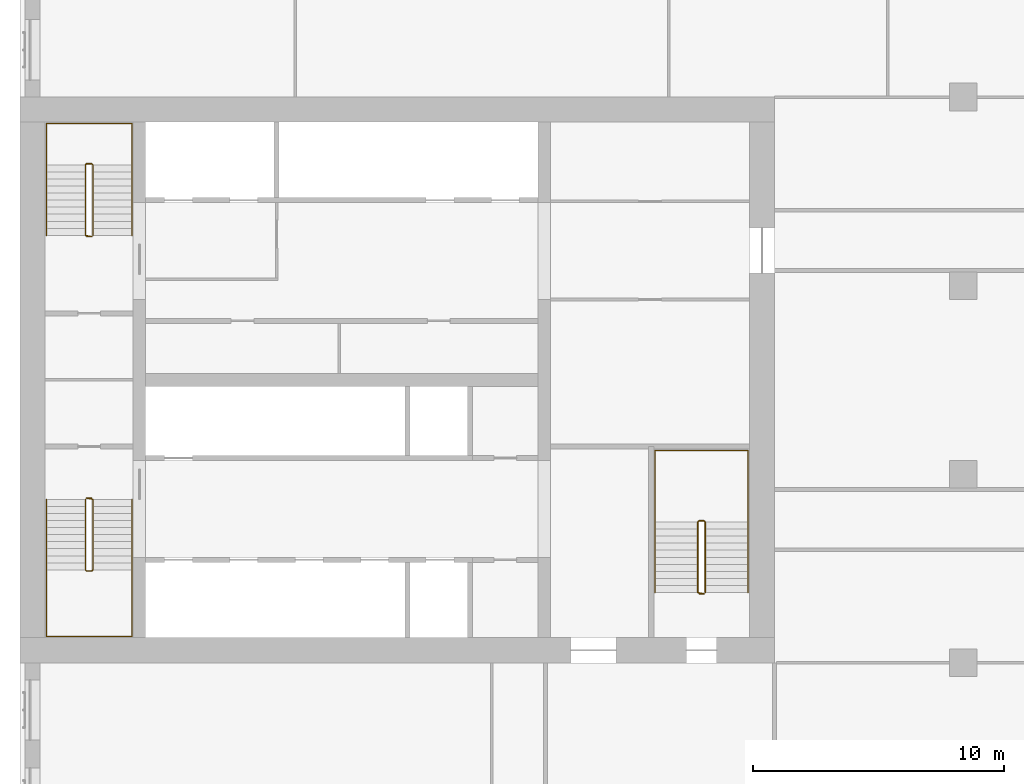
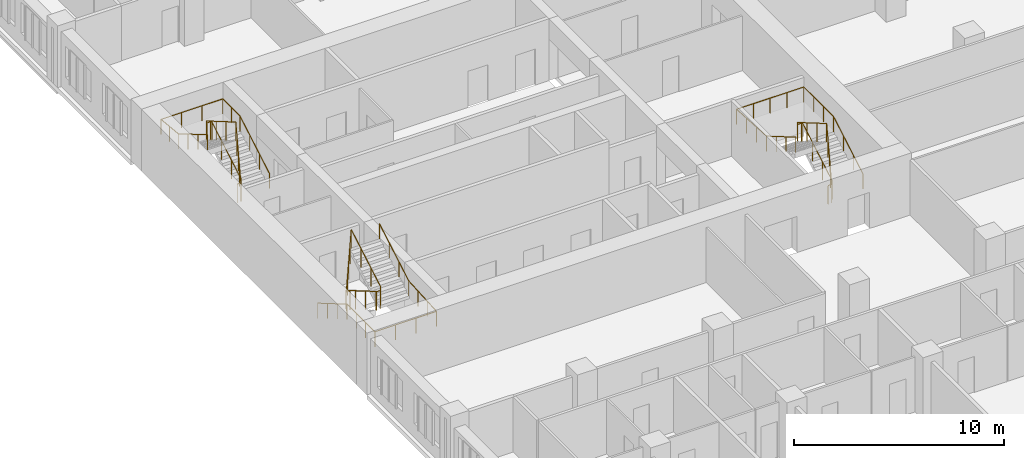
# One storey, part 14 of 14: 6 railings.
"""IFC4 building model written with IfcOpenShell, lengths in metres."""

from ifc_helpers import new_model, si_unit, direction, frame, origin, origin_2d, place, context, subcontext, project, spatial, circle, extrude, material, type_object, element, save


model = new_model("IFC4")

# Units and contexts
model_context = context("Model", 3, precision=1e-05, world=origin(), true_north=direction((0.0, 1.0)))
body_context = subcontext(model_context, "Body", "Model", "MODEL_VIEW")
ifc_project = project(units=[si_unit("LENGTHUNIT", "METRE"), si_unit("AREAUNIT", "SQUARE_METRE"), si_unit("VOLUMEUNIT", "CUBIC_METRE"), si_unit("PLANEANGLEUNIT", "RADIAN"), si_unit("MASSUNIT", "GRAM", prefix="KILO")], contexts=[model_context])

# Site, building, storey
site_placement = place(None, origin())
site = spatial("IfcSite", under=ifc_project, at=site_placement, CompositionType="ELEMENT")
building_placement = place(site_placement, origin())
building = spatial("IfcBuilding", under=site, at=building_placement, Name="Tamorin Gate", CompositionType="ELEMENT")
storey_placement = place(building_placement, frame((0.0, 0.0, 115.10009765625)))
storey = spatial("IfcBuildingStorey", under=building, at=storey_placement, Name="L28", CompositionType="ELEMENT", Elevation=115.10009765625)

# Railings
ifc_material_1 = material(Name="Painted steel balustrade", Category="steel")
railing_type_1 = type_object("IfcRailingType", Name="Stair guard 1100", PredefinedType="GUARDRAIL", material=ifc_material_1)
railing_1_placement = place(storey_placement, frame((32.60009765625, 66.5, 0.16357421875)))
element("IfcRailing", 1, at=railing_1_placement, inside=storey, type_object=railing_type_1, Name="L28 ST1 stair guard 1", PredefinedType="GUARDRAIL", context=body_context, shape_type="SweptSolid", body=[
    extrude(circle(Radius=0.02392578125, at=origin_2d()), frame((0.0, 0.0, 1.076171875), z_axis=(0.0, -0.863393664356, 0.504530851732), x_axis=(1.0, 0.0, 0.0)), (0.0, 0.0, 1.0), 3.2431640625),
    extrude(circle(Radius=0.02392578125, at=origin_2d()), frame((0.0, -2.800048828125, 2.71240234375), z_axis=(0.705375805398, -0.708833529934, 0.0), x_axis=(0.708833529934, 0.705375805398, 0.0)), (0.0, 0.0, 1.0), 0.070556640625),
    extrude(circle(Radius=0.02392578125, at=origin_2d()), frame((0.0498046875, -2.85009765625, 2.71240234375), z_axis=(1.0, 0.0, 0.0), x_axis=(0.0, 1.0, 0.0)), (0.0, 0.0, 1.0), 0.2001953125),
    extrude(circle(Radius=0.02392578125, at=origin_2d()), frame((0.25, -2.85009765625, 2.71240234375), z_axis=(0.279194930351, 0.280563532951, 0.91833234444), x_axis=(-0.708833529934, 0.705375805398, 0.0)), (0.0, 0.0, 1.0), 0.178466796875),
    extrude(circle(Radius=0.02392578125, at=origin_2d()), frame((0.2998046875, -2.800048828125, 2.8759765625), z_axis=(0.0, 0.863393664356, 0.504530851732), x_axis=(-1.0, 0.0, 0.0)), (0.0, 0.0, 1.0), 3.2431640625),
    extrude(circle(Radius=0.02392578125, at=origin_2d()), frame((0.2998046875, 0.0, 4.51220703125), z_axis=(-0.069273741535, 0.013868278335, -0.997501288014), x_axis=(-0.196300278283, -0.98054382908, 0.0)), (0.0, 0.0, 1.0), 3.60888671875),
    extrude(circle(Radius=0.02392578125, at=origin_2d()), frame((0.0498046875, 0.050048828125, 0.91259765625), z_axis=(1.0, 0.0, 0.0), x_axis=(0.0, 1.0, 0.0)), (0.0, 0.0, 1.0), 0.2001953125),
    extrude(circle(Radius=0.02099609375, at=origin_2d()), origin(), (0.0, 0.0, 1.0), 1.052001953125),
    extrude(circle(Radius=0.02099609375, at=origin_2d()), frame((0.0, -0.933349609375, 0.54541015625)), (0.0, 0.0, 1.0), 1.052001953125),
    extrude(circle(Radius=0.02099609375, at=origin_2d()), frame((0.0, -1.86669921875, 1.0908203125)), (0.0, 0.0, 1.0), 1.052001953125),
    extrude(circle(Radius=0.02099609375, at=origin_2d()), frame((0.0, -2.800048828125, 1.63623046875)), (0.0, 0.0, 1.0), 1.052001953125),
    extrude(circle(Radius=0.02099609375, at=origin_2d()), frame((0.0498046875, -2.85009765625, 1.63623046875)), (0.0, 0.0, 1.0), 1.052001953125),
    extrude(circle(Radius=0.02099609375, at=origin_2d()), frame((0.25, -2.85009765625, 1.63623046875)), (0.0, 0.0, 1.0), 1.052001953125),
    extrude(circle(Radius=0.02099609375, at=origin_2d()), frame((0.2998046875, -2.800048828125, 1.800048828125)), (0.0, 0.0, 1.0), 1.052001953125),
    extrude(circle(Radius=0.02099609375, at=origin_2d()), frame((0.2998046875, -1.86669921875, 2.345458984375)), (0.0, 0.0, 1.0), 1.052001953125),
    extrude(circle(Radius=0.02099609375, at=origin_2d()), frame((0.2998046875, -0.933349609375, 2.890869140625)), (0.0, 0.0, 1.0), 1.052001953125),
    extrude(circle(Radius=0.02099609375, at=origin_2d()), frame((0.2998046875, 0.0, 3.436279296875)), (0.0, 0.0, 1.0), 1.052001953125),
    extrude(circle(Radius=0.02099609375, at=origin_2d()), frame((0.2373046875, 0.012451171875, 2.536376953125)), (0.0, 0.0, 1.0), 1.052001953125),
    extrude(circle(Radius=0.02099609375, at=origin_2d()), frame((0.1748046875, 0.02490234375, 1.63623046875)), (0.0, 0.0, 1.0), 1.052001953125),
    extrude(circle(Radius=0.02099609375, at=origin_2d()), frame((0.1123046875, 0.03759765625, 0.736328125)), (0.0, 0.0, 1.0), 1.052001953125),
    extrude(circle(Radius=0.02099609375, at=origin_2d()), frame((0.0498046875, 0.050048828125, -0.16357421875)), (0.0, 0.0, 1.0), 1.052001953125),
    extrude(circle(Radius=0.02099609375, at=origin_2d()), frame((0.25, 0.050048828125, -0.16357421875)), (0.0, 0.0, 1.0), 1.052001953125),
])
railing_2_placement = place(storey_placement, frame((32.89990234375, 77.0, 0.16357421875)))
element("IfcRailing", 2, at=railing_2_placement, inside=storey, type_object=railing_type_1, Name="L28 ST2 stair guard 1", PredefinedType="GUARDRAIL", context=body_context, shape_type="SweptSolid", body=[
    extrude(circle(Radius=0.02392578125, at=origin_2d()), frame((0.0, 0.0, 1.076171875), z_axis=(0.0, 0.863393664356, 0.504530851732), x_axis=(-1.0, 0.0, 0.0)), (0.0, 0.0, 1.0), 3.2431640625),
    extrude(circle(Radius=0.02392578125, at=origin_2d()), frame((0.0, 2.800048828125, 2.71240234375), z_axis=(-0.705375805398, 0.708833529934, 0.0), x_axis=(-0.708833529934, -0.705375805398, 0.0)), (0.0, 0.0, 1.0), 0.070556640625),
    extrude(circle(Radius=0.02392578125, at=origin_2d()), frame((-0.0498046875, 2.85009765625, 2.71240234375), z_axis=(-1.0, 0.0, 0.0), x_axis=(0.0, -1.0, 0.0)), (0.0, 0.0, 1.0), 0.2001953125),
    extrude(circle(Radius=0.02392578125, at=origin_2d()), frame((-0.25, 2.85009765625, 2.71240234375), z_axis=(-0.279194930351, -0.280563532951, 0.91833234444), x_axis=(0.708833529934, -0.705375805398, 0.0)), (0.0, 0.0, 1.0), 0.178466796875),
    extrude(circle(Radius=0.02392578125, at=origin_2d()), frame((-0.2998046875, 2.800048828125, 2.8759765625), z_axis=(0.0, -0.863393664356, 0.504530851732), x_axis=(1.0, 0.0, 0.0)), (0.0, 0.0, 1.0), 3.2431640625),
    extrude(circle(Radius=0.02392578125, at=origin_2d()), frame((-0.2998046875, 0.0, 4.51220703125), z_axis=(0.069273741535, -0.013868278335, -0.997501288014), x_axis=(0.196300278283, 0.98054382908, 0.0)), (0.0, 0.0, 1.0), 3.60888671875),
    extrude(circle(Radius=0.02392578125, at=origin_2d()), frame((-0.0498046875, -0.050048828125, 0.91259765625), z_axis=(-1.0, 0.0, 0.0), x_axis=(0.0, -1.0, 0.0)), (0.0, 0.0, 1.0), 0.2001953125),
    extrude(circle(Radius=0.02099609375, at=origin_2d()), origin(), (0.0, 0.0, 1.0), 1.052001953125),
    extrude(circle(Radius=0.02099609375, at=origin_2d()), frame((0.0, 0.933349609375, 0.54541015625)), (0.0, 0.0, 1.0), 1.052001953125),
    extrude(circle(Radius=0.02099609375, at=origin_2d()), frame((0.0, 1.86669921875, 1.0908203125)), (0.0, 0.0, 1.0), 1.052001953125),
    extrude(circle(Radius=0.02099609375, at=origin_2d()), frame((0.0, 2.800048828125, 1.63623046875)), (0.0, 0.0, 1.0), 1.052001953125),
    extrude(circle(Radius=0.02099609375, at=origin_2d()), frame((-0.0498046875, 2.85009765625, 1.63623046875)), (0.0, 0.0, 1.0), 1.052001953125),
    extrude(circle(Radius=0.02099609375, at=origin_2d()), frame((-0.25, 2.85009765625, 1.63623046875)), (0.0, 0.0, 1.0), 1.052001953125),
    extrude(circle(Radius=0.02099609375, at=origin_2d()), frame((-0.2998046875, 2.800048828125, 1.800048828125)), (0.0, 0.0, 1.0), 1.052001953125),
    extrude(circle(Radius=0.02099609375, at=origin_2d()), frame((-0.2998046875, 1.86669921875, 2.345458984375)), (0.0, 0.0, 1.0), 1.052001953125),
    extrude(circle(Radius=0.02099609375, at=origin_2d()), frame((-0.2998046875, 0.933349609375, 2.890869140625)), (0.0, 0.0, 1.0), 1.052001953125),
    extrude(circle(Radius=0.02099609375, at=origin_2d()), frame((-0.2998046875, 0.0, 3.436279296875)), (0.0, 0.0, 1.0), 1.052001953125),
    extrude(circle(Radius=0.02099609375, at=origin_2d()), frame((-0.2373046875, -0.012451171875, 2.536376953125)), (0.0, 0.0, 1.0), 1.052001953125),
    extrude(circle(Radius=0.02099609375, at=origin_2d()), frame((-0.1748046875, -0.02490234375, 1.63623046875)), (0.0, 0.0, 1.0), 1.052001953125),
    extrude(circle(Radius=0.02099609375, at=origin_2d()), frame((-0.1123046875, -0.03759765625, 0.736328125)), (0.0, 0.0, 1.0), 1.052001953125),
    extrude(circle(Radius=0.02099609375, at=origin_2d()), frame((-0.0498046875, -0.050048828125, -0.16357421875)), (0.0, 0.0, 1.0), 1.052001953125),
    extrude(circle(Radius=0.02099609375, at=origin_2d()), frame((-0.25, -0.050048828125, -0.16357421875)), (0.0, 0.0, 1.0), 1.052001953125),
])
railing_3_placement = place(storey_placement, frame((57.25, 62.800048828125, 0.16357421875)))
element("IfcRailing", 3, at=railing_3_placement, inside=storey, type_object=railing_type_1, Name="L28 ST3 stair guard 1", PredefinedType="GUARDRAIL", context=body_context, shape_type="SweptSolid", body=[
    extrude(circle(Radius=0.02392578125, at=origin_2d()), frame((0.0, 0.0, 1.076171875), z_axis=(0.0, 0.863393664356, 0.504530851732), x_axis=(-1.0, 0.0, 0.0)), (0.0, 0.0, 1.0), 3.2431640625),
    extrude(circle(Radius=0.02392578125, at=origin_2d()), frame((0.0, 2.800048828125, 2.71240234375), z_axis=(-0.708833529934, 0.705375805398, 0.0), x_axis=(-0.705375805398, -0.708833529934, 0.0)), (0.0, 0.0, 1.0), 0.070556640625),
    extrude(circle(Radius=0.02392578125, at=origin_2d()), frame((-0.050048828125, 2.849853515625, 2.71240234375), z_axis=(-1.0, 0.0, 0.0), x_axis=(0.0, -1.0, 0.0)), (0.0, 0.0, 1.0), 0.199951171875),
    extrude(circle(Radius=0.02392578125, at=origin_2d()), frame((-0.25, 2.849853515625, 2.71240234375), z_axis=(-0.280563532951, -0.279194930351, 0.91833234444), x_axis=(0.705375805398, -0.708833529934, 0.0)), (0.0, 0.0, 1.0), 0.178466796875),
    extrude(circle(Radius=0.02392578125, at=origin_2d()), frame((-0.300048828125, 2.800048828125, 2.8759765625), z_axis=(0.0, -0.863393664356, 0.504530851732), x_axis=(1.0, 0.0, 0.0)), (0.0, 0.0, 1.0), 3.2431640625),
    extrude(circle(Radius=0.02392578125, at=origin_2d()), frame((-0.300048828125, 0.0, 4.51220703125), z_axis=(0.069273741535, -0.013868278335, -0.997501288014), x_axis=(0.196300278283, 0.98054382908, 0.0)), (0.0, 0.0, 1.0), 3.60888671875),
    extrude(circle(Radius=0.02392578125, at=origin_2d()), frame((-0.050048828125, -0.050048828125, 0.91259765625), z_axis=(-1.0, 0.0, 0.0), x_axis=(0.0, -1.0, 0.0)), (0.0, 0.0, 1.0), 0.199951171875),
    extrude(circle(Radius=0.02099609375, at=origin_2d()), origin(), (0.0, 0.0, 1.0), 1.052001953125),
    extrude(circle(Radius=0.02099609375, at=origin_2d()), frame((0.0, 0.933349609375, 0.54541015625)), (0.0, 0.0, 1.0), 1.052001953125),
    extrude(circle(Radius=0.02099609375, at=origin_2d()), frame((0.0, 1.86669921875, 1.0908203125)), (0.0, 0.0, 1.0), 1.052001953125),
    extrude(circle(Radius=0.02099609375, at=origin_2d()), frame((0.0, 2.800048828125, 1.63623046875)), (0.0, 0.0, 1.0), 1.052001953125),
    extrude(circle(Radius=0.02099609375, at=origin_2d()), frame((-0.050048828125, 2.849853515625, 1.63623046875)), (0.0, 0.0, 1.0), 1.052001953125),
    extrude(circle(Radius=0.02099609375, at=origin_2d()), frame((-0.25, 2.849853515625, 1.63623046875)), (0.0, 0.0, 1.0), 1.052001953125),
    extrude(circle(Radius=0.02099609375, at=origin_2d()), frame((-0.300048828125, 2.800048828125, 1.800048828125)), (0.0, 0.0, 1.0), 1.052001953125),
    extrude(circle(Radius=0.02099609375, at=origin_2d()), frame((-0.300048828125, 1.86669921875, 2.345458984375)), (0.0, 0.0, 1.0), 1.052001953125),
    extrude(circle(Radius=0.02099609375, at=origin_2d()), frame((-0.300048828125, 0.933349609375, 2.890869140625)), (0.0, 0.0, 1.0), 1.052001953125),
    extrude(circle(Radius=0.02099609375, at=origin_2d()), frame((-0.300048828125, 0.0, 3.436279296875)), (0.0, 0.0, 1.0), 1.052001953125),
    extrude(circle(Radius=0.02099609375, at=origin_2d()), frame((-0.237548828125, -0.012451171875, 2.536376953125)), (0.0, 0.0, 1.0), 1.052001953125),
    extrude(circle(Radius=0.02099609375, at=origin_2d()), frame((-0.175048828125, -0.02490234375, 1.63623046875)), (0.0, 0.0, 1.0), 1.052001953125),
    extrude(circle(Radius=0.02099609375, at=origin_2d()), frame((-0.112548828125, -0.03759765625, 0.736328125)), (0.0, 0.0, 1.0), 1.052001953125),
    extrude(circle(Radius=0.02099609375, at=origin_2d()), frame((-0.050048828125, -0.050048828125, -0.16357421875)), (0.0, 0.0, 1.0), 1.052001953125),
    extrude(circle(Radius=0.02099609375, at=origin_2d()), frame((-0.25, -0.050048828125, -0.16357421875)), (0.0, 0.0, 1.0), 1.052001953125),
])
ifc_material_2 = material(Name="Painted steel handrail", Category="steel")
railing_type_2 = type_object("IfcRailingType", Name="Stair handrail 900", PredefinedType="HANDRAIL", material=ifc_material_2)
railing_4_placement = place(storey_placement, frame((31.050048828125, 66.5, 0.16357421875)))
element("IfcRailing", 4, at=railing_4_placement, inside=storey, type_object=railing_type_2, Name="L28 ST1 stair handrail 1", PredefinedType="HANDRAIL", context=body_context, shape_type="SweptSolid", body=[
    extrude(circle(Radius=0.02392578125, at=origin_2d()), frame((0.0, 0.0, 0.8759765625), z_axis=(0.0, -0.863393664356, 0.504530851732), x_axis=(1.0, 0.0, 0.0)), (0.0, 0.0, 1.0), 3.2431640625),
    extrude(circle(Radius=0.02392578125, at=origin_2d()), frame((0.0, -2.800048828125, 2.51220703125), z_axis=(0.0, -1.0, 0.0), x_axis=(1.0, 0.0, 0.0)), (0.0, 0.0, 1.0), 2.64990234375),
    extrude(circle(Radius=0.02392578125, at=origin_2d()), frame((0.0, -5.449951171875, 2.51220703125), z_axis=(1.0, 0.0, 0.0), x_axis=(0.0, 1.0, 0.0)), (0.0, 0.0, 1.0), 3.39990234375),
    extrude(circle(Radius=0.02392578125, at=origin_2d()), frame((3.39990234375, -5.449951171875, 2.51220703125), z_axis=(0.0, 0.998094571079, 0.061702732375), x_axis=(-1.0, 0.0, 0.0)), (0.0, 0.0, 1.0), 2.655029296875),
    extrude(circle(Radius=0.02392578125, at=origin_2d()), frame((3.39990234375, -2.800048828125, 2.67578125), z_axis=(0.0, 0.863393664356, 0.504530851732), x_axis=(-1.0, 0.0, 0.0)), (0.0, 0.0, 1.0), 3.2431640625),
    extrude(circle(Radius=0.02099609375, at=origin_2d()), origin(), (0.0, 0.0, 1.0), 0.851806640625),
    extrude(circle(Radius=0.02099609375, at=origin_2d()), frame((0.0, -0.933349609375, 0.54541015625)), (0.0, 0.0, 1.0), 0.851806640625),
    extrude(circle(Radius=0.02099609375, at=origin_2d()), frame((0.0, -1.86669921875, 1.0908203125)), (0.0, 0.0, 1.0), 0.851806640625),
    extrude(circle(Radius=0.02099609375, at=origin_2d()), frame((0.0, -2.800048828125, 1.63623046875)), (0.0, 0.0, 1.0), 0.851806640625),
    extrude(circle(Radius=0.02099609375, at=origin_2d()), frame((0.0, -3.683349609375, 1.63623046875)), (0.0, 0.0, 1.0), 0.851806640625),
    extrude(circle(Radius=0.02099609375, at=origin_2d()), frame((0.0, -4.566650390625, 1.63623046875)), (0.0, 0.0, 1.0), 0.851806640625),
    extrude(circle(Radius=0.02099609375, at=origin_2d()), frame((0.0, -5.449951171875, 1.63623046875)), (0.0, 0.0, 1.0), 0.851806640625),
    extrude(circle(Radius=0.02099609375, at=origin_2d()), frame((1.13330078125, -5.449951171875, 1.63623046875)), (0.0, 0.0, 1.0), 0.851806640625),
    extrude(circle(Radius=0.02099609375, at=origin_2d()), frame((2.2666015625, -5.449951171875, 1.63623046875)), (0.0, 0.0, 1.0), 0.851806640625),
    extrude(circle(Radius=0.02099609375, at=origin_2d()), frame((3.39990234375, -5.449951171875, 1.63623046875)), (0.0, 0.0, 1.0), 0.851806640625),
    extrude(circle(Radius=0.02099609375, at=origin_2d()), frame((3.39990234375, -4.566650390625, 1.69091796875)), (0.0, 0.0, 1.0), 0.851806640625),
    extrude(circle(Radius=0.02099609375, at=origin_2d()), frame((3.39990234375, -3.683349609375, 1.745361328125)), (0.0, 0.0, 1.0), 0.851806640625),
    extrude(circle(Radius=0.02099609375, at=origin_2d()), frame((3.39990234375, -2.800048828125, 1.800048828125)), (0.0, 0.0, 1.0), 0.851806640625),
    extrude(circle(Radius=0.02099609375, at=origin_2d()), frame((3.39990234375, -1.86669921875, 2.345458984375)), (0.0, 0.0, 1.0), 0.851806640625),
    extrude(circle(Radius=0.02099609375, at=origin_2d()), frame((3.39990234375, -0.933349609375, 2.890869140625)), (0.0, 0.0, 1.0), 0.851806640625),
    extrude(circle(Radius=0.02099609375, at=origin_2d()), frame((3.39990234375, 0.0, 3.436279296875)), (0.0, 0.0, 1.0), 0.851806640625),
])
railing_5_placement = place(storey_placement, frame((34.449951171875, 77.0, 0.16357421875)))
element("IfcRailing", 5, at=railing_5_placement, inside=storey, type_object=railing_type_2, Name="L28 ST2 stair handrail 1", PredefinedType="HANDRAIL", context=body_context, shape_type="SweptSolid", body=[
    extrude(circle(Radius=0.02392578125, at=origin_2d()), frame((0.0, 0.0, 0.8759765625), z_axis=(0.0, 0.863393664356, 0.504530851732), x_axis=(-1.0, 0.0, 0.0)), (0.0, 0.0, 1.0), 3.2431640625),
    extrude(circle(Radius=0.02392578125, at=origin_2d()), frame((0.0, 2.800048828125, 2.51220703125), z_axis=(0.0, 1.0, 0.0), x_axis=(-1.0, 0.0, 0.0)), (0.0, 0.0, 1.0), 1.64990234375),
    extrude(circle(Radius=0.02392578125, at=origin_2d()), frame((0.0, 4.449951171875, 2.51220703125), z_axis=(-1.0, 0.0, 0.0), x_axis=(0.0, -1.0, 0.0)), (0.0, 0.0, 1.0), 3.39990234375),
    extrude(circle(Radius=0.02392578125, at=origin_2d()), frame((-3.39990234375, 4.449951171875, 2.51220703125), z_axis=(0.0, -0.995106923726, 0.098803898464), x_axis=(1.0, 0.0, 0.0)), (0.0, 0.0, 1.0), 1.657958984375),
    extrude(circle(Radius=0.02392578125, at=origin_2d()), frame((-3.39990234375, 2.800048828125, 2.67578125), z_axis=(0.0, -0.863393664356, 0.504530851732), x_axis=(1.0, 0.0, 0.0)), (0.0, 0.0, 1.0), 3.2431640625),
    extrude(circle(Radius=0.02099609375, at=origin_2d()), origin(), (0.0, 0.0, 1.0), 0.851806640625),
    extrude(circle(Radius=0.02099609375, at=origin_2d()), frame((0.0, 0.933349609375, 0.54541015625)), (0.0, 0.0, 1.0), 0.851806640625),
    extrude(circle(Radius=0.02099609375, at=origin_2d()), frame((0.0, 1.86669921875, 1.0908203125)), (0.0, 0.0, 1.0), 0.851806640625),
    extrude(circle(Radius=0.02099609375, at=origin_2d()), frame((0.0, 2.800048828125, 1.63623046875)), (0.0, 0.0, 1.0), 0.851806640625),
    extrude(circle(Radius=0.02099609375, at=origin_2d()), frame((0.0, 3.625, 1.63623046875)), (0.0, 0.0, 1.0), 0.851806640625),
    extrude(circle(Radius=0.02099609375, at=origin_2d()), frame((0.0, 4.449951171875, 1.63623046875)), (0.0, 0.0, 1.0), 0.851806640625),
    extrude(circle(Radius=0.02099609375, at=origin_2d()), frame((-1.13330078125, 4.449951171875, 1.63623046875)), (0.0, 0.0, 1.0), 0.851806640625),
    extrude(circle(Radius=0.02099609375, at=origin_2d()), frame((-2.2666015625, 4.449951171875, 1.63623046875)), (0.0, 0.0, 1.0), 0.851806640625),
    extrude(circle(Radius=0.02099609375, at=origin_2d()), frame((-3.39990234375, 4.449951171875, 1.63623046875)), (0.0, 0.0, 1.0), 0.851806640625),
    extrude(circle(Radius=0.02099609375, at=origin_2d()), frame((-3.39990234375, 3.625, 1.71826171875)), (0.0, 0.0, 1.0), 0.851806640625),
    extrude(circle(Radius=0.02099609375, at=origin_2d()), frame((-3.39990234375, 2.800048828125, 1.800048828125)), (0.0, 0.0, 1.0), 0.851806640625),
    extrude(circle(Radius=0.02099609375, at=origin_2d()), frame((-3.39990234375, 1.86669921875, 2.345458984375)), (0.0, 0.0, 1.0), 0.851806640625),
    extrude(circle(Radius=0.02099609375, at=origin_2d()), frame((-3.39990234375, 0.933349609375, 2.890869140625)), (0.0, 0.0, 1.0), 0.851806640625),
    extrude(circle(Radius=0.02099609375, at=origin_2d()), frame((-3.39990234375, 0.0, 3.436279296875)), (0.0, 0.0, 1.0), 0.851806640625),
])
railing_6_placement = place(storey_placement, frame((58.949951171875, 62.800048828125, 0.16357421875)))
element("IfcRailing", 6, at=railing_6_placement, inside=storey, type_object=railing_type_2, Name="L28 ST3 stair handrail 1", PredefinedType="HANDRAIL", context=body_context, shape_type="SweptSolid", body=[
    extrude(circle(Radius=0.02392578125, at=origin_2d()), frame((0.0, 0.0, 0.8759765625), z_axis=(0.0, 0.863393664356, 0.504530851732), x_axis=(-1.0, 0.0, 0.0)), (0.0, 0.0, 1.0), 3.2431640625),
    extrude(circle(Radius=0.02392578125, at=origin_2d()), frame((0.0, 2.800048828125, 2.51220703125), z_axis=(0.0, 1.0, 0.0), x_axis=(-1.0, 0.0, 0.0)), (0.0, 0.0, 1.0), 2.849853515625),
    extrude(circle(Radius=0.02392578125, at=origin_2d()), frame((0.0, 5.64990234375, 2.51220703125), z_axis=(-1.0, 0.0, 0.0), x_axis=(0.0, -1.0, 0.0)), (0.0, 0.0, 1.0), 3.699951171875),
    extrude(circle(Radius=0.02392578125, at=origin_2d()), frame((-3.699951171875, 5.64990234375, 2.51220703125), z_axis=(0.0, -0.998351930891, 0.057388344524), x_axis=(1.0, 0.0, 0.0)), (0.0, 0.0, 1.0), 2.8544921875),
    extrude(circle(Radius=0.02392578125, at=origin_2d()), frame((-3.699951171875, 2.800048828125, 2.67578125), z_axis=(0.0, -0.863393664356, 0.504530851732), x_axis=(1.0, 0.0, 0.0)), (0.0, 0.0, 1.0), 3.2431640625),
    extrude(circle(Radius=0.02099609375, at=origin_2d()), origin(), (0.0, 0.0, 1.0), 0.851806640625),
    extrude(circle(Radius=0.02099609375, at=origin_2d()), frame((0.0, 0.933349609375, 0.54541015625)), (0.0, 0.0, 1.0), 0.851806640625),
    extrude(circle(Radius=0.02099609375, at=origin_2d()), frame((0.0, 1.86669921875, 1.0908203125)), (0.0, 0.0, 1.0), 0.851806640625),
    extrude(circle(Radius=0.02099609375, at=origin_2d()), frame((0.0, 2.800048828125, 1.63623046875)), (0.0, 0.0, 1.0), 0.851806640625),
    extrude(circle(Radius=0.02099609375, at=origin_2d()), frame((0.0, 3.75, 1.63623046875)), (0.0, 0.0, 1.0), 0.851806640625),
    extrude(circle(Radius=0.02099609375, at=origin_2d()), frame((0.0, 4.699951171875, 1.63623046875)), (0.0, 0.0, 1.0), 0.851806640625),
    extrude(circle(Radius=0.02099609375, at=origin_2d()), frame((0.0, 5.64990234375, 1.63623046875)), (0.0, 0.0, 1.0), 0.851806640625),
    extrude(circle(Radius=0.02099609375, at=origin_2d()), frame((-0.925048828125, 5.64990234375, 1.63623046875)), (0.0, 0.0, 1.0), 0.851806640625),
    extrude(circle(Radius=0.02099609375, at=origin_2d()), frame((-1.85009765625, 5.64990234375, 1.63623046875)), (0.0, 0.0, 1.0), 0.851806640625),
    extrude(circle(Radius=0.02099609375, at=origin_2d()), frame((-2.77490234375, 5.64990234375, 1.63623046875)), (0.0, 0.0, 1.0), 0.851806640625),
    extrude(circle(Radius=0.02099609375, at=origin_2d()), frame((-3.699951171875, 5.64990234375, 1.63623046875)), (0.0, 0.0, 1.0), 0.851806640625),
    extrude(circle(Radius=0.02099609375, at=origin_2d()), frame((-3.699951171875, 4.699951171875, 1.69091796875)), (0.0, 0.0, 1.0), 0.851806640625),
    extrude(circle(Radius=0.02099609375, at=origin_2d()), frame((-3.699951171875, 3.75, 1.745361328125)), (0.0, 0.0, 1.0), 0.851806640625),
    extrude(circle(Radius=0.02099609375, at=origin_2d()), frame((-3.699951171875, 2.800048828125, 1.800048828125)), (0.0, 0.0, 1.0), 0.851806640625),
    extrude(circle(Radius=0.02099609375, at=origin_2d()), frame((-3.699951171875, 1.86669921875, 2.345458984375)), (0.0, 0.0, 1.0), 0.851806640625),
    extrude(circle(Radius=0.02099609375, at=origin_2d()), frame((-3.699951171875, 0.933349609375, 2.890869140625)), (0.0, 0.0, 1.0), 0.851806640625),
    extrude(circle(Radius=0.02099609375, at=origin_2d()), frame((-3.699951171875, 0.0, 3.436279296875)), (0.0, 0.0, 1.0), 0.851806640625),
])

save(model, "model.ifc")
